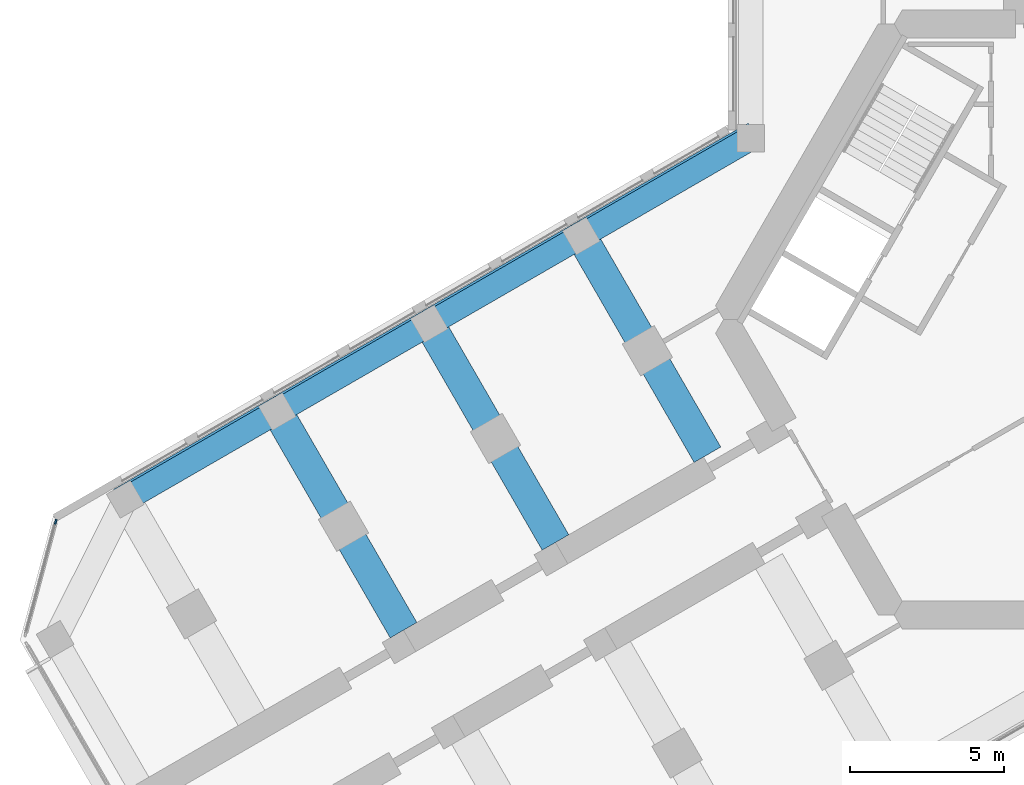
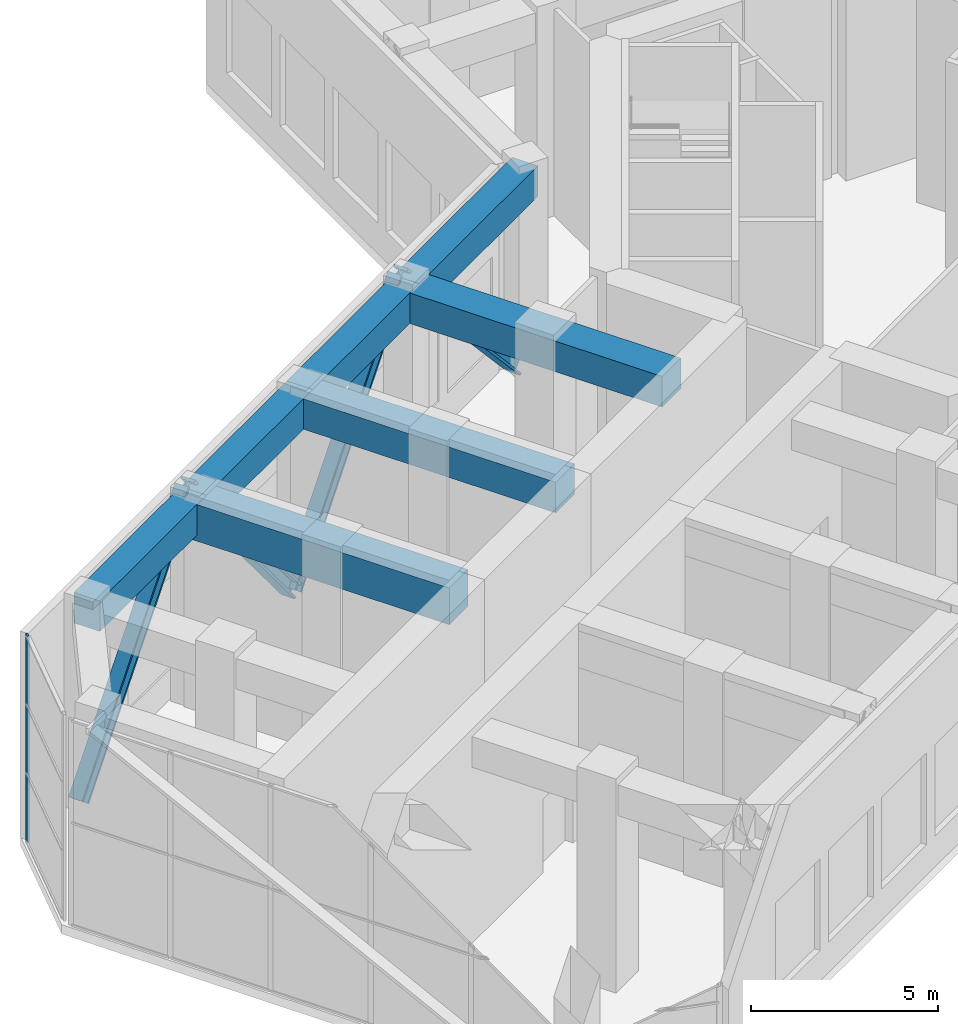
# One storey, part 4 of 15: 7 beams, 5 members, 1 element without a shape of its own.
"""IFC4 building model written with IfcOpenShell, lengths in metres."""

from ifc_helpers import new_model, si_unit, direction, frame, origin, origin_2d, place, context, subcontext, project, spatial, rectangle, i_section, extrude, material, material_profile, profile_set, type_object, element, aggregate, save


model = new_model("IFC4")

# Units and contexts
model_context = context("Model", 3, precision=1e-05, world=origin(), true_north=direction((0.0, 1.0)))
body_context = subcontext(model_context, "Body", "Model", "MODEL_VIEW")
ifc_project = project(units=[si_unit("LENGTHUNIT", "METRE"), si_unit("AREAUNIT", "SQUARE_METRE"), si_unit("VOLUMEUNIT", "CUBIC_METRE"), si_unit("PLANEANGLEUNIT", "RADIAN"), si_unit("MASSUNIT", "GRAM", prefix="KILO")], contexts=[model_context])

# Site, building, storey
site_placement = place(None, origin())
site = spatial("IfcSite", under=ifc_project, at=site_placement, CompositionType="ELEMENT")
building_placement = place(site_placement, origin())
building = spatial("IfcBuilding", under=site, at=building_placement, Name="Kosmar Iwan School Tower", CompositionType="ELEMENT")
storey_placement = place(building_placement, frame((0.0, 0.0, 186.800048828125)))
storey = spatial("IfcBuildingStorey", under=building, at=storey_placement, Name="L47", CompositionType="ELEMENT", Elevation=186.800048828125)

# Members
ifc_material_1 = material(Name="Steel S355", Category="steel")
ifc_material_profile_1 = material_profile(ifc_material_1, i_section(OverallWidth=0.424072265625, OverallDepth=0.47412109375, WebThickness=0.047607421875, FlangeThickness=0.0771484375, FilletRadius=0.014892578125, at=origin_2d()), Name="HD 400x634")
ifc_profile_set_1 = profile_set([ifc_material_profile_1], Name="Steel S355")
member_type_1 = type_object("IfcMemberType", Name="Belt truss diagonal HD 400x634", PredefinedType="BRACE", material=ifc_profile_set_1)
member_1_placement = place(storey_placement, frame((-10.3291015625, 6.1123046875, 0.0), z_axis=(-0.590541526201, -0.340940633834, 0.731450743409), x_axis=(0.49999045822, -0.866030912664, 0.0)))
element("IfcMember", 1, at=member_1_placement, inside=storey, type_object=member_type_1, Name="Belt truss diagonal BR1", PredefinedType="BRACE", context=body_context, shape_type="SweptSolid", body=[
    extrude(i_section(OverallWidth=0.424072265625, OverallDepth=0.47412109375, WebThickness=0.047607421875, FlangeThickness=0.0771484375, FilletRadius=0.014892578125, at=origin_2d()), origin(), (0.0, 0.0, 1.0), 9.328369140625),
])
member_2_placement = place(storey_placement, frame((-15.837890625, 2.931884765625, 6.8232421875), z_axis=(-0.555211280294, -0.320566619821, -0.767448680037), x_axis=(0.50001782563, -0.866015111908, 0.0)))
element("IfcMember", 2, at=member_2_placement, inside=storey, type_object=member_type_1, Name="Belt truss diagonal BR2", PredefinedType="BRACE", context=body_context, shape_type="SweptSolid", body=[
    extrude(i_section(OverallWidth=0.424072265625, OverallDepth=0.47412109375, WebThickness=0.047607421875, FlangeThickness=0.0771484375, FilletRadius=0.014892578125, at=origin_2d()), origin(), (0.0, 0.0, 1.0), 8.890869140625),
])
member_3_placement = place(storey_placement, frame((-20.774169921875, 0.081787109375, 0.0), z_axis=(-0.555216167519, -0.320541981475, 0.767455435473), x_axis=(0.49998570155, -0.866033658841, 0.0)))
element("IfcMember", 3, at=member_3_placement, inside=storey, type_object=member_type_1, Name="Belt truss diagonal BR3", PredefinedType="BRACE", context=body_context, shape_type="SweptSolid", body=[
    extrude(i_section(OverallWidth=0.424072265625, OverallDepth=0.47412109375, WebThickness=0.047607421875, FlangeThickness=0.0771484375, FilletRadius=0.014892578125, at=origin_2d()), origin(), (0.0, 0.0, 1.0), 8.890625),
])
member_4_placement = place(storey_placement, frame((-25.71044921875, -2.76806640625, 6.8232421875), z_axis=(-0.555211280294, -0.320566619821, -0.767448680037), x_axis=(0.50001782563, -0.866015111908, 0.0)))
element("IfcMember", 4, at=member_4_placement, inside=storey, type_object=member_type_1, Name="Belt truss diagonal BR4", PredefinedType="BRACE", context=body_context, shape_type="SweptSolid", body=[
    extrude(i_section(OverallWidth=0.424072265625, OverallDepth=0.47412109375, WebThickness=0.047607421875, FlangeThickness=0.0771484375, FilletRadius=0.014892578125, at=origin_2d()), origin(), (0.0, 0.0, 1.0), 8.890869140625),
])

# Beams
ifc_material_2 = material(Name="Concrete C50/60", Category="concrete")
ifc_material_profile_2 = material_profile(ifc_material_2, rectangle(XDim=0.800048828125, YDim=1.0, at=origin_2d()), Name="RC 800x1000 + HD 400x634")
ifc_profile_set_2 = profile_set([ifc_material_profile_2], Name="Concrete C50/60")
beam_type_1 = type_object("IfcBeamType", Name="Composite edge beam 800x1000 HD 400x634", PredefinedType="BEAM", material=ifc_profile_set_2)
beam_1_placement = place(storey_placement, frame((-10.199951171875, 5.888916015625, 6.25), z_axis=(-0.866030912664, -0.49999045822, 0.0), x_axis=(0.49999045822, -0.866030912664, 0.0)))
element("IfcBeam", 5, at=beam_1_placement, inside=storey, type_object=beam_type_1, Name="Edge beam BR1", PredefinedType="BEAM", context=body_context, shape_type="SweptSolid", body=[
    extrude(rectangle(XDim=0.800048828125, YDim=1.0, at=origin_2d()), origin(), (0.0, 0.0, 1.0), 6.36083984375),
])
beam_2_placement = place(storey_placement, frame((-15.708740234375, 2.70849609375, 6.25), z_axis=(-0.866025820012, -0.499999279071, 0.0), x_axis=(0.499999279071, -0.866025820012, 0.0)))
element("IfcBeam", 6, at=beam_2_placement, inside=storey, type_object=beam_type_1, Name="Edge beam BR2", PredefinedType="BEAM", context=body_context, shape_type="SweptSolid", body=[
    extrude(rectangle(XDim=0.800048828125, YDim=1.0, at=origin_2d()), origin(), (0.0, 0.0, 1.0), 5.7001953125),
])
for number, where, z_axis, x_axis, name in (
    (7, (-20.645263671875, -0.1416015625, 6.25), (-0.866033658841, -0.49998570155, 0.0), (0.49998570155, -0.866033658841, 0.0), "Edge beam BR3"),
    (8, (-25.58154296875, -2.991455078125, 6.25), (-0.866015111908, -0.50001782563, 0.0), (0.50001782563, -0.866015111908, 0.0), "Edge beam BR4"),
):
    element("IfcBeam", number, at=place(storey_placement, frame(where, z_axis=z_axis, x_axis=x_axis)), inside=storey, type_object=beam_type_1, Name=name, PredefinedType="BEAM", context=body_context, shape_type="SweptSolid", body=[
        extrude(rectangle(XDim=0.800048828125, YDim=1.0, at=origin_2d()), origin(), (0.0, 0.0, 1.0), 5.699951171875),
    ])
ifc_material_3 = material(Name="Concrete C50/60", Category="concrete")
ifc_material_profile_3 = material_profile(ifc_material_3, rectangle(XDim=1.0, YDim=1.199951171875, at=origin_2d()), Name="RC 1000x1200 + HD 400x634")
ifc_profile_set_3 = profile_set([ifc_material_profile_3], Name="Concrete C50/60")
beam_type_2 = type_object("IfcBeamType", Name="Composite transfer beam 1000x1200 HD 400x634", PredefinedType="BEAM", material=ifc_profile_set_3)
beam_3_placement = place(storey_placement, frame((-25.58154296875, -2.991455078125, 6.14990234375), z_axis=(0.500000789788, -0.8660249478, 0.0), x_axis=(0.8660249478, 0.500000789788, 0.0)))
element("IfcBeam", 9, at=beam_3_placement, inside=storey, type_object=beam_type_2, Name="Transfer beam BR3", PredefinedType="BEAM", context=body_context, shape_type="SweptSolid", body=[
    extrude(rectangle(XDim=1.0, YDim=1.199951171875, at=origin_2d()), origin(), (0.0, 0.0, 1.0), 8.2001953125),
])
ifc_material_4 = material(Name="Concrete C50/60", Category="concrete")
ifc_material_profile_4 = material_profile(ifc_material_4, rectangle(XDim=1.0, YDim=1.0, at=origin_2d()), Name="RC 1000x1000 + HD 400x347")
ifc_profile_set_4 = profile_set([ifc_material_profile_4], Name="Concrete C50/60")
beam_type_3 = type_object("IfcBeamType", Name="Composite transverse beam 1000x1000 HD 400x347", PredefinedType="BEAM", material=ifc_profile_set_4)
for number, where, z_axis, x_axis, name in (
    (10, (-15.708740234375, 2.70849609375, 6.25), (0.499978459874, -0.866037839625, 0.0), (0.866037839625, 0.499978459874, 0.0), "Transverse beam BR1"),
    (11, (-20.645263671875, -0.1416015625, 6.25), (0.500013681986, -0.866017504342, 0.0), (0.866017504342, 0.500013681986, 0.0), "Transverse beam BR2"),
):
    element("IfcBeam", number, at=place(storey_placement, frame(where, z_axis=z_axis, x_axis=x_axis)), inside=storey, type_object=beam_type_3, Name=name, PredefinedType="BEAM", context=body_context, shape_type="SweptSolid", body=[
        extrude(rectangle(XDim=1.0, YDim=1.0, at=origin_2d()), origin(), (0.0, 0.0, 1.0), 8.199951171875),
    ])

# Curtain wall, member
ifc_material_5 = material(Name="Dark glass in black aluminium frame", Category="aluminium")
curtain_wall_type = type_object("IfcCurtainWallType", Name="Chamfer curtain wall dark glass", PredefinedType="USERDEFINED", material=ifc_material_5)
curtain_wall_placement = place(storey_placement, origin())
curtain_wall = element("IfcCurtainWall", 12, at=curtain_wall_placement, inside=storey, type_object=curtain_wall_type, Name="Curtain wall L47-F12", ObjectType="FACETED CURTAIN WALL", PredefinedType="USERDEFINED")
ifc_material_6 = material(Name="Black anodised aluminium", Category="aluminium")
ifc_material_profile_5 = material_profile(ifc_material_6, rectangle(XDim=0.06005859375, YDim=0.159912109375, at=origin_2d()), Name="MULLION 60x160")
ifc_profile_set_5 = profile_set([ifc_material_profile_5], Name="Black anodised aluminium")
member_type_2 = type_object("IfcMemberType", Name="Mullion 60x160", PredefinedType="MULLION", material=ifc_profile_set_5)
member_5_placement = place(storey_placement, frame((-32.78076171875, -6.5732421875, 0.0), z_axis=(0.0, 0.0, 1.0), x_axis=(0.965925875495, -0.258818861462, 0.0)))
member_5 = element("IfcMember", 13, at=member_5_placement, type_object=member_type_2, Name="CW2 mullion 1", PredefinedType="MULLION", context=body_context, shape_type="SweptSolid", body=[
    extrude(rectangle(XDim=0.06005859375, YDim=0.159912109375, at=origin_2d()), origin(), (0.0, 0.0, 1.0), 6.75),
])
aggregate(curtain_wall, [member_5])

save(model, "model.ifc")
